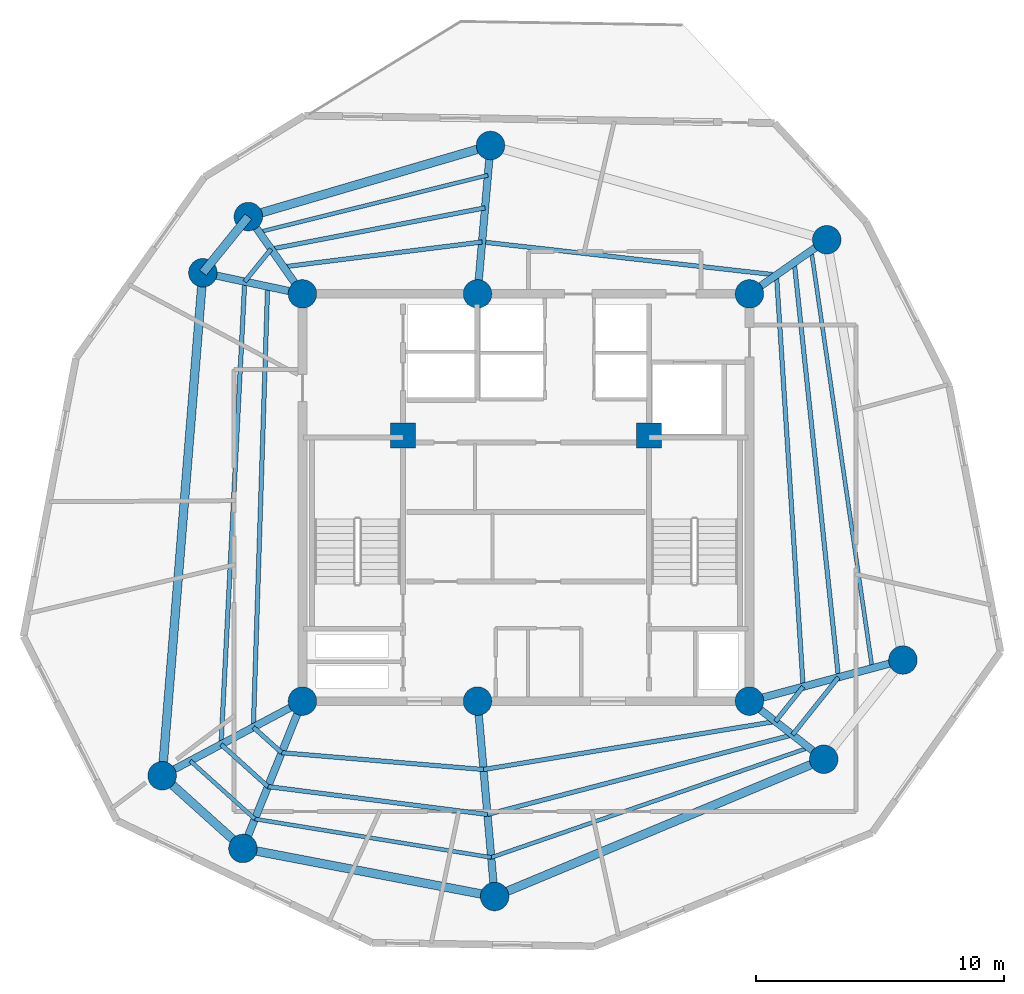
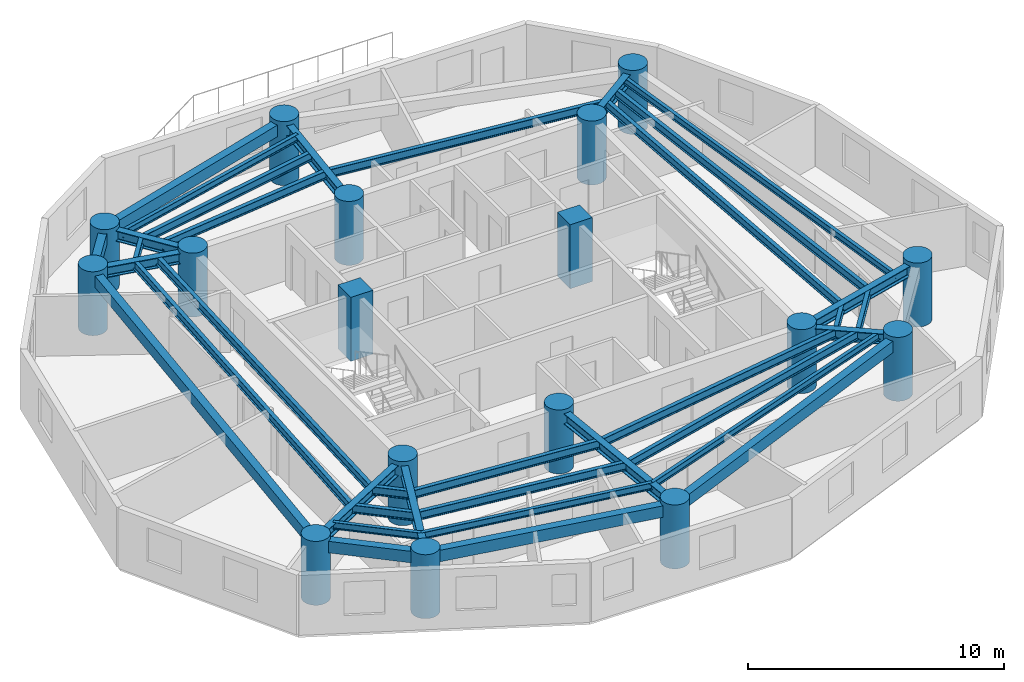
# One storey, part 1 of 7: 36 beams, 17 columns.
"""IFC4 building model written with IfcOpenShell, lengths in metres."""

from ifc_helpers import new_model, si_unit, direction, frame, origin, origin_with_axes, origin_2d, place, context, subcontext, project, spatial, rectangle, circle, i_section, extrude, source, transform, mapped, material, material_profile, profile_set, type_object, element, save


model = new_model("IFC4")

# Units and contexts
model_context = context("Model", 3, precision=1e-05, world=origin(), true_north=direction((0.0, 1.0)))
body_context = subcontext(model_context, "Body", "Model", "MODEL_VIEW")
ifc_project = project(units=[si_unit("LENGTHUNIT", "METRE"), si_unit("AREAUNIT", "SQUARE_METRE"), si_unit("VOLUMEUNIT", "CUBIC_METRE"), si_unit("PLANEANGLEUNIT", "RADIAN"), si_unit("MASSUNIT", "GRAM", prefix="KILO")], contexts=[model_context])

# Site, building, storey
site_placement = place(None, origin())
site = spatial("IfcSite", under=ifc_project, at=site_placement, CompositionType="ELEMENT")
building_placement = place(site_placement, origin())
building = spatial("IfcBuilding", under=site, at=building_placement, Name="Karkom Vertical University and Central Library", CompositionType="ELEMENT")
storey_placement = place(building_placement, frame((0.0, 0.0, 253.5)))
storey = spatial("IfcBuildingStorey", under=building, at=storey_placement, Name="L75", CompositionType="ELEMENT", Elevation=253.5)

# Columns
ifc_material_1 = material(Name="Concrete C50/60", Category="concrete")
ifc_material_profile_1 = material_profile(ifc_material_1, rectangle(XDim=1.0, YDim=1.0, at=origin_2d()), Name="RC-1000x1000")
ifc_profile_set_1 = profile_set([ifc_material_profile_1], Name="Concrete C50/60")
column_type_1 = type_object("IfcColumnType", Name="STR-COL-C-CC2", PredefinedType="COLUMN", material=ifc_profile_set_1)
shared_shape_1 = source(origin_with_axes(), body_context, "Body", "SweptSolid", [
    extrude(rectangle(XDim=1.0, YDim=1.0, at=origin_2d()), origin(), (0.0, 0.0, 1.0), 3.050048828125),
])
for number, where, z_axis, x_axis, name in (
    (1, (23.550048828125, 29.0, 0.0), (0.0, 0.0, 1.0), (1.0, 0.0, 0.0), "Level 75 Core Node Column CC-1"),
    (2, (33.449951171875, 29.0, 0.0), (0.0, 0.0, 1.0), (1.0, 0.0, 0.0), "Level 75 Core Node Column CC-2"),
):
    element("IfcColumn", number, at=place(storey_placement, frame(where, z_axis=z_axis, x_axis=x_axis)), inside=storey, type_object=column_type_1, Name=name, PredefinedType="COLUMN", context=body_context, shape_type="MappedRepresentation", body=[
        mapped(shared_shape_1, transform((0.0, 0.0, 0.0), scale=1.0)),
    ])
ifc_material_2 = material(Name="Concrete C45/55", Category="concrete")
ifc_material_profile_2 = material_profile(ifc_material_2, circle(Radius=0.574951171875, at=origin_2d()), Name="CFT-D1150")
ifc_profile_set_2 = profile_set([ifc_material_profile_2], Name="Concrete C45/55")
column_type_2 = type_object("IfcColumnType", Name="STR-COL-C-SC5", PredefinedType="COLUMN", material=ifc_profile_set_2)
shared_shape_2 = source(origin_with_axes(), body_context, "Body", "SweptSolid", [
    extrude(circle(Radius=0.574951171875, at=origin_2d()), origin(), (0.0, 0.0, 1.0), 3.050048828125),
])
for number, where, z_axis, x_axis, name in (
    (3, (19.5, 18.300048828125, 0.0), (0.0, 0.0, 1.0), (1.0, 0.0, 0.0), "Level 75 Spine Mega-Column SC-1"),
    (4, (26.550048828125, 18.300048828125, 0.0), (0.0, 0.0, 1.0), (1.0, 0.0, 0.0), "Level 75 Spine Mega-Column SC-2"),
    (5, (37.5, 18.300048828125, 0.0), (0.0, 0.0, 1.0), (1.0, 0.0, 0.0), "Level 75 Spine Mega-Column SC-3"),
    (6, (19.5, 34.699951171875, 0.0), (0.0, 0.0, 1.0), (1.0, 0.0, 0.0), "Level 75 Spine Mega-Column SC-4"),
    (7, (26.550048828125, 34.699951171875, 0.0), (0.0, 0.0, 1.0), (1.0, 0.0, 0.0), "Level 75 Spine Mega-Column SC-5"),
    (8, (37.5, 34.699951171875, 0.0), (0.0, 0.0, 1.0), (1.0, 0.0, 0.0), "Level 75 Spine Mega-Column SC-6"),
    (9, (43.681884765625, 19.9560546875, 0.0), (0.0, 0.0, 1.0), (1.0, 0.0, 0.0), "Level 75 Perimeter Mega-Column Z4-PC1"),
    (10, (40.613037109375, 36.8798828125, 0.0), (0.0, 0.0, 1.0), (1.0, 0.0, 0.0), "Level 75 Perimeter Mega-Column Z4-PC2"),
    (11, (27.072998046875, 40.677001953125, 0.0), (0.0, 0.0, 1.0), (1.0, 0.0, 0.0), "Level 75 Perimeter Mega-Column Z4-PC3"),
    (12, (17.320068359375, 37.81298828125, 0.0), (0.0, 0.0, 1.0), (1.0, 0.0, 0.0), "Level 75 Perimeter Mega-Column Z4-PC4"),
    (13, (15.489990234375, 35.552001953125, 0.0), (0.0, 0.0, 1.0), (1.0, 0.0, 0.0), "Level 75 Perimeter Mega-Column Z4-PC5"),
    (14, (13.84912109375, 15.294921875, 0.0), (0.0, 0.0, 1.0), (1.0, 0.0, 0.0), "Level 75 Perimeter Mega-Column Z4-PC6"),
    (15, (17.10302734375, 12.365966796875, 0.0), (0.0, 0.0, 1.0), (1.0, 0.0, 0.0), "Level 75 Perimeter Mega-Column Z4-PC7"),
    (16, (27.239013671875, 10.429931640625, 0.0), (0.0, 0.0, 1.0), (1.0, 0.0, 0.0), "Level 75 Perimeter Mega-Column Z4-PC8"),
    (17, (40.493896484375, 15.9599609375, 0.0), (0.0, 0.0, 1.0), (1.0, 0.0, 0.0), "Level 75 Perimeter Mega-Column Z4-PC9"),
):
    element("IfcColumn", number, at=place(storey_placement, frame(where, z_axis=z_axis, x_axis=x_axis)), inside=storey, type_object=column_type_2, Name=name, PredefinedType="COLUMN", context=body_context, shape_type="MappedRepresentation", body=[
        mapped(shared_shape_2, transform((0.0, 0.0, 0.0), scale=1.0)),
    ])

# Beams
ifc_material_3 = material(Name="Precast concrete C45/55", Category="concrete")
ifc_material_profile_3 = material_profile(ifc_material_3, rectangle(XDim=0.35009765625, YDim=0.550048828125, at=origin_2d()), Name="SPB-350x550")
ifc_profile_set_3 = profile_set([ifc_material_profile_3], Name="Precast concrete C45/55")
beam_type_1 = type_object("IfcBeamType", Name="STR-BM-SP-2", PredefinedType="SPANDREL", material=ifc_profile_set_3)
shared_shape_3 = source(origin_with_axes(), body_context, "Body", "SweptSolid", [
    extrude(rectangle(XDim=0.35009765625, YDim=0.550048828125, at=origin_2d()), origin(), (0.0, 0.0, 1.0), 10.164794921875),
])
beam_1_placement = place(storey_placement, frame((27.072998046875, 40.677001953125, 2.574951171875), z_axis=(-0.959485124536, -0.281759286971, 0.0), x_axis=(0.281759286971, -0.959485124536, 0.0)))
element("IfcBeam", 18, at=beam_1_placement, inside=storey, type_object=beam_type_1, Name="Level 75 Perimeter Spandrel Beam 03", PredefinedType="SPANDREL", context=body_context, shape_type="MappedRepresentation", body=[
    mapped(shared_shape_3, transform((0.0, 0.0, 0.0), scale=1.0)),
])
shared_shape_4 = source(origin_with_axes(), body_context, "Body", "SweptSolid", [
    extrude(rectangle(XDim=0.35009765625, YDim=0.550048828125, at=origin_2d()), origin(), (0.0, 0.0, 1.0), 2.908935546875),
])
beam_2_placement = place(storey_placement, frame((17.320068359375, 37.81298828125, 2.574951171875), z_axis=(-0.629147523747, -0.777285914811, 0.0), x_axis=(0.777285914811, -0.629147523747, 0.0)))
element("IfcBeam", 19, at=beam_2_placement, inside=storey, type_object=beam_type_1, Name="Level 75 Perimeter Spandrel Beam 04", PredefinedType="SPANDREL", context=body_context, shape_type="MappedRepresentation", body=[
    mapped(shared_shape_4, transform((0.0, 0.0, 0.0), scale=1.0)),
])
shared_shape_5 = source(origin_with_axes(), body_context, "Body", "SweptSolid", [
    extrude(rectangle(XDim=0.35009765625, YDim=0.550048828125, at=origin_2d()), origin(), (0.0, 0.0, 1.0), 20.323486328125),
])
beam_3_placement = place(storey_placement, frame((15.489990234375, 35.552001953125, 2.574951171875), z_axis=(-0.080737811681, -0.996735373991, 0.0), x_axis=(0.996735373991, -0.080737811681, 0.0)))
element("IfcBeam", 20, at=beam_3_placement, inside=storey, type_object=beam_type_1, Name="Level 75 Perimeter Spandrel Beam 05", PredefinedType="SPANDREL", context=body_context, shape_type="MappedRepresentation", body=[
    mapped(shared_shape_5, transform((0.0, 0.0, 0.0), scale=1.0)),
])
shared_shape_6 = source(origin_with_axes(), body_context, "Body", "SweptSolid", [
    extrude(rectangle(XDim=0.35009765625, YDim=0.550048828125, at=origin_2d()), origin(), (0.0, 0.0, 1.0), 4.3779296875),
])
beam_4_placement = place(storey_placement, frame((13.84912109375, 15.294921875, 2.574951171875), z_axis=(0.743244232405, -0.669020187287, 0.0), x_axis=(0.669020187287, 0.743244232405, 0.0)))
element("IfcBeam", 21, at=beam_4_placement, inside=storey, type_object=beam_type_1, Name="Level 75 Perimeter Spandrel Beam 06", PredefinedType="SPANDREL", context=body_context, shape_type="MappedRepresentation", body=[
    mapped(shared_shape_6, transform((0.0, 0.0, 0.0), scale=1.0)),
])
shared_shape_7 = source(origin_with_axes(), body_context, "Body", "SweptSolid", [
    extrude(rectangle(XDim=0.35009765625, YDim=0.550048828125, at=origin_2d()), origin(), (0.0, 0.0, 1.0), 10.3193359375),
])
beam_5_placement = place(storey_placement, frame((17.10302734375, 12.365966796875, 2.574951171875), z_axis=(0.982242767385, -0.187614354249, 0.0), x_axis=(0.187614354249, 0.982242767385, 0.0)))
element("IfcBeam", 22, at=beam_5_placement, inside=storey, type_object=beam_type_1, Name="Level 75 Perimeter Spandrel Beam 07", PredefinedType="SPANDREL", context=body_context, shape_type="MappedRepresentation", body=[
    mapped(shared_shape_7, transform((0.0, 0.0, 0.0), scale=1.0)),
])
shared_shape_8 = source(origin_with_axes(), body_context, "Body", "SweptSolid", [
    extrude(rectangle(XDim=0.35009765625, YDim=0.550048828125, at=origin_2d()), origin(), (0.0, 0.0, 1.0), 14.3623046875),
])
beam_6_placement = place(storey_placement, frame((27.239013671875, 10.429931640625, 2.574951171875), z_axis=(0.922899796194, 0.385040213725, 0.0), x_axis=(-0.385040213725, 0.922899796194, 0.0)))
element("IfcBeam", 23, at=beam_6_placement, inside=storey, type_object=beam_type_1, Name="Level 75 Perimeter Spandrel Beam 08", PredefinedType="SPANDREL", context=body_context, shape_type="MappedRepresentation", body=[
    mapped(shared_shape_8, transform((0.0, 0.0, 0.0), scale=1.0)),
])
ifc_material_4 = material(Name="Steel S355", Category="steel")
ifc_material_profile_4 = material_profile(ifc_material_4, i_section(OverallWidth=0.179931640625, OverallDepth=0.39990234375, WebThickness=0.008544921875, FlangeThickness=0.013427734375, FilletRadius=0.02099609375, at=origin_2d()), Name="IPE 400")
ifc_profile_set_4 = profile_set([ifc_material_profile_4], Name="Steel S355")
beam_type_2 = type_object("IfcBeamType", Name="STR-BM-SB-IPE400", PredefinedType="BEAM", material=ifc_profile_set_4)
shared_shape_9 = source(origin_with_axes(), body_context, "Body", "SweptSolid", [
    extrude(i_section(OverallWidth=0.179931640625, OverallDepth=0.39990234375, WebThickness=0.008544921875, FlangeThickness=0.013427734375, FilletRadius=0.02099609375, at=origin_2d()), origin(), (0.0, 0.0, 1.0), 16.617919921875),
])
beam_7_placement = place(storey_placement, frame((39.663818359375, 18.879638671875, 2.64990234375), z_axis=(-0.064641848008, 0.997908528617, 0.0), x_axis=(-0.997908528617, -0.064641848008, 0.0)))
element("IfcBeam", 24, at=beam_7_placement, inside=storey, type_object=beam_type_2, Name="Level 75 Secondary Composite Floor Beam 1.01", PredefinedType="BEAM", context=body_context, shape_type="MappedRepresentation", body=[
    mapped(shared_shape_9, transform((0.0, 0.0, 0.0), scale=1.0)),
])
shared_shape_10 = source(origin_with_axes(), body_context, "Body", "SweptSolid", [
    extrude(i_section(OverallWidth=0.179931640625, OverallDepth=0.39990234375, WebThickness=0.008544921875, FlangeThickness=0.013427734375, FilletRadius=0.02099609375, at=origin_2d()), origin(), (0.0, 0.0, 1.0), 11.9306640625),
])
beam_8_placement = place(storey_placement, frame((38.589599609375, 35.462890625, 2.64990234375), z_axis=(-0.993775454886, 0.11140172919, 0.0), x_axis=(-0.11140172919, -0.993775454886, 0.0)))
element("IfcBeam", 25, at=beam_8_placement, inside=storey, type_object=beam_type_2, Name="Level 75 Secondary Composite Floor Beam 1.02", PredefinedType="BEAM", context=body_context, shape_type="MappedRepresentation", body=[
    mapped(shared_shape_10, transform((0.0, 0.0, 0.0), scale=1.0)),
])
shared_shape_11 = source(origin_with_axes(), body_context, "Body", "SweptSolid", [
    extrude(i_section(OverallWidth=0.179931640625, OverallDepth=0.39990234375, WebThickness=0.008544921875, FlangeThickness=0.013427734375, FilletRadius=0.02099609375, at=origin_2d()), origin(), (0.0, 0.0, 1.0), 8.05859375),
])
beam_9_placement = place(storey_placement, frame((26.733154296875, 36.7919921875, 2.64990234375), z_axis=(-0.99223306826, -0.124392677646, 0.0), x_axis=(0.124392677646, -0.99223306826, 0.0)))
element("IfcBeam", 26, at=beam_9_placement, inside=storey, type_object=beam_type_2, Name="Level 75 Secondary Composite Floor Beam 1.03", PredefinedType="BEAM", context=body_context, shape_type="MappedRepresentation", body=[
    mapped(shared_shape_11, transform((0.0, 0.0, 0.0), scale=1.0)),
])
shared_shape_12 = source(origin_with_axes(), body_context, "Body", "SweptSolid", [
    extrude(i_section(OverallWidth=0.179931640625, OverallDepth=0.39990234375, WebThickness=0.008544921875, FlangeThickness=0.013427734375, FilletRadius=0.02099609375, at=origin_2d()), origin(), (0.0, 0.0, 1.0), 17.75927734375),
])
beam_10_placement = place(storey_placement, frame((18.096435546875, 34.998291015625, 2.64990234375), z_axis=(-0.032333437334, -0.999477137723, 0.0), x_axis=(0.999477137723, -0.032333437334, 0.0)))
element("IfcBeam", 27, at=beam_10_placement, inside=storey, type_object=beam_type_2, Name="Level 75 Secondary Composite Floor Beam 1.05", PredefinedType="BEAM", context=body_context, shape_type="MappedRepresentation", body=[
    mapped(shared_shape_12, transform((0.0, 0.0, 0.0), scale=1.0)),
])
shared_shape_13 = source(origin_with_axes(), body_context, "Body", "SweptSolid", [
    extrude(i_section(OverallWidth=0.179931640625, OverallDepth=0.39990234375, WebThickness=0.008544921875, FlangeThickness=0.013427734375, FilletRadius=0.02099609375, at=origin_2d()), origin(), (0.0, 0.0, 1.0), 1.5322265625),
])
beam_11_placement = place(storey_placement, frame((17.522216796875, 17.248291015625, 2.64990234375), z_axis=(0.743183211059, -0.669087972392, 0.0), x_axis=(0.669087972392, 0.743183211059, 0.0)))
element("IfcBeam", 28, at=beam_11_placement, inside=storey, type_object=beam_type_2, Name="Level 75 Secondary Composite Floor Beam 1.06", PredefinedType="BEAM", context=body_context, shape_type="MappedRepresentation", body=[
    mapped(shared_shape_13, transform((0.0, 0.0, 0.0), scale=1.0)),
])
shared_shape_14 = source(origin_with_axes(), body_context, "Body", "SweptSolid", [
    extrude(i_section(OverallWidth=0.179931640625, OverallDepth=0.39990234375, WebThickness=0.008544921875, FlangeThickness=0.013427734375, FilletRadius=0.02099609375, at=origin_2d()), origin(), (0.0, 0.0, 1.0), 8.15869140625),
])
beam_12_placement = place(storey_placement, frame((18.660888671875, 16.22314453125, 2.64990234375), z_axis=(0.996543694183, -0.083070244882, 0.0), x_axis=(0.083070244882, 0.996543694183, 0.0)))
element("IfcBeam", 29, at=beam_12_placement, inside=storey, type_object=beam_type_2, Name="Level 75 Secondary Composite Floor Beam 1.07", PredefinedType="BEAM", context=body_context, shape_type="MappedRepresentation", body=[
    mapped(shared_shape_14, transform((0.0, 0.0, 0.0), scale=1.0)),
])
shared_shape_15 = source(origin_with_axes(), body_context, "Body", "SweptSolid", [
    extrude(i_section(OverallWidth=0.179931640625, OverallDepth=0.39990234375, WebThickness=0.008544921875, FlangeThickness=0.013427734375, FilletRadius=0.02099609375, at=origin_2d()), origin(), (0.0, 0.0, 1.0), 11.914794921875),
])
beam_13_placement = place(storey_placement, frame((26.791259765625, 15.54541015625, 2.64990234375), z_axis=(0.986717073469, 0.162448197663, 0.0), x_axis=(-0.162448197663, 0.986717073469, 0.0)))
element("IfcBeam", 30, at=beam_13_placement, inside=storey, type_object=beam_type_2, Name="Level 75 Secondary Composite Floor Beam 1.08", PredefinedType="BEAM", context=body_context, shape_type="MappedRepresentation", body=[
    mapped(shared_shape_15, transform((0.0, 0.0, 0.0), scale=1.0)),
])
shared_shape_16 = source(origin_with_axes(), body_context, "Body", "SweptSolid", [
    extrude(i_section(OverallWidth=0.179931640625, OverallDepth=0.39990234375, WebThickness=0.008544921875, FlangeThickness=0.013427734375, FilletRadius=0.02099609375, at=origin_2d()), origin(), (0.0, 0.0, 1.0), 1.789306640625),
])
beam_14_placement = place(storey_placement, frame((38.5478515625, 17.48095703125, 2.64990234375), z_axis=(0.623679519349, 0.781680150154, 0.0), x_axis=(-0.781680150154, 0.623679519349, 0.0)))
element("IfcBeam", 31, at=beam_14_placement, inside=storey, type_object=beam_type_2, Name="Level 75 Secondary Composite Floor Beam 1.09", PredefinedType="BEAM", context=body_context, shape_type="MappedRepresentation", body=[
    mapped(shared_shape_16, transform((0.0, 0.0, 0.0), scale=1.0)),
])
shared_shape_17 = source(origin_with_axes(), body_context, "Body", "SweptSolid", [
    extrude(i_section(OverallWidth=0.179931640625, OverallDepth=0.39990234375, WebThickness=0.008544921875, FlangeThickness=0.013427734375, FilletRadius=0.02099609375, at=origin_2d()), origin(), (0.0, 0.0, 1.0), 16.79833984375),
])
beam_15_placement = place(storey_placement, frame((41.085693359375, 19.260498046875, 2.64990234375), z_axis=(-0.105978377704, 0.994368434464, 0.0), x_axis=(-0.994368434464, -0.105978377704, 0.0)))
element("IfcBeam", 32, at=beam_15_placement, inside=storey, type_object=beam_type_2, Name="Level 75 Secondary Composite Floor Beam 2.01", PredefinedType="BEAM", context=body_context, shape_type="MappedRepresentation", body=[
    mapped(shared_shape_17, transform((0.0, 0.0, 0.0), scale=1.0)),
])
shared_shape_18 = source(origin_with_axes(), body_context, "Body", "SweptSolid", [
    extrude(i_section(OverallWidth=0.179931640625, OverallDepth=0.39990234375, WebThickness=0.008544921875, FlangeThickness=0.013427734375, FilletRadius=0.02099609375, at=origin_2d()), origin(), (0.0, 0.0, 1.0), 8.7763671875),
])
beam_16_placement = place(storey_placement, frame((26.853271484375, 38.166748046875, 2.64990234375), z_axis=(-0.981924209256, -0.189274528862, 0.0), x_axis=(0.189274528862, -0.981924209256, 0.0)))
element("IfcBeam", 33, at=beam_16_placement, inside=storey, type_object=beam_type_2, Name="Level 75 Secondary Composite Floor Beam 2.03", PredefinedType="BEAM", context=body_context, shape_type="MappedRepresentation", body=[
    mapped(shared_shape_18, transform((0.0, 0.0, 0.0), scale=1.0)),
])
shared_shape_19 = source(origin_with_axes(), body_context, "Body", "SweptSolid", [
    extrude(i_section(OverallWidth=0.179931640625, OverallDepth=0.39990234375, WebThickness=0.008544921875, FlangeThickness=0.013427734375, FilletRadius=0.02099609375, at=origin_2d()), origin(), (0.0, 0.0, 1.0), 1.68701171875),
])
beam_17_placement = place(storey_placement, frame((18.235595703125, 36.505615234375, 2.64990234375), z_axis=(-0.629044191861, -0.777369541908, 0.0), x_axis=(0.777369541908, -0.629044191861, 0.0)))
element("IfcBeam", 34, at=beam_17_placement, inside=storey, type_object=beam_type_2, Name="Level 75 Secondary Composite Floor Beam 2.04", PredefinedType="BEAM", context=body_context, shape_type="MappedRepresentation", body=[
    mapped(shared_shape_19, transform((0.0, 0.0, 0.0), scale=1.0)),
])
shared_shape_20 = source(origin_with_axes(), body_context, "Body", "SweptSolid", [
    extrude(i_section(OverallWidth=0.179931640625, OverallDepth=0.39990234375, WebThickness=0.008544921875, FlangeThickness=0.013427734375, FilletRadius=0.02099609375, at=origin_2d()), origin(), (0.0, 0.0, 1.0), 18.661376953125),
])
beam_18_placement = place(storey_placement, frame((17.17431640625, 35.194091796875, 2.64990234375), z_axis=(-0.051009656211, -0.998698160093, 0.0), x_axis=(0.998698160093, -0.051009656211, 0.0)))
element("IfcBeam", 35, at=beam_18_placement, inside=storey, type_object=beam_type_2, Name="Level 75 Secondary Composite Floor Beam 2.05", PredefinedType="BEAM", context=body_context, shape_type="MappedRepresentation", body=[
    mapped(shared_shape_20, transform((0.0, 0.0, 0.0), scale=1.0)),
])
shared_shape_21 = source(origin_with_axes(), body_context, "Body", "SweptSolid", [
    extrude(i_section(OverallWidth=0.179931640625, OverallDepth=0.39990234375, WebThickness=0.008544921875, FlangeThickness=0.013427734375, FilletRadius=0.02099609375, at=origin_2d()), origin(), (0.0, 0.0, 1.0), 2.5390625),
])
beam_19_placement = place(storey_placement, frame((16.222412109375, 16.55712890625, 2.64990234375), z_axis=(0.743246334517, -0.669017851949, 0.0), x_axis=(0.669017851949, 0.743246334517, 0.0)))
element("IfcBeam", 36, at=beam_19_placement, inside=storey, type_object=beam_type_2, Name="Level 75 Secondary Composite Floor Beam 2.06", PredefinedType="BEAM", context=body_context, shape_type="MappedRepresentation", body=[
    mapped(shared_shape_21, transform((0.0, 0.0, 0.0), scale=1.0)),
])
shared_shape_22 = source(origin_with_axes(), body_context, "Body", "SweptSolid", [
    extrude(i_section(OverallWidth=0.179931640625, OverallDepth=0.39990234375, WebThickness=0.008544921875, FlangeThickness=0.013427734375, FilletRadius=0.02099609375, at=origin_2d()), origin(), (0.0, 0.0, 1.0), 8.9111328125),
])
beam_20_placement = place(storey_placement, frame((18.109619140625, 14.8583984375, 2.64990234375), z_axis=(0.992026771403, -0.126027317751, 0.0), x_axis=(0.126027317751, 0.992026771403, 0.0)))
element("IfcBeam", 37, at=beam_20_placement, inside=storey, type_object=beam_type_2, Name="Level 75 Secondary Composite Floor Beam 2.07", PredefinedType="BEAM", context=body_context, shape_type="MappedRepresentation", body=[
    mapped(shared_shape_22, transform((0.0, 0.0, 0.0), scale=1.0)),
])
shared_shape_23 = source(origin_with_axes(), body_context, "Body", "SweptSolid", [
    extrude(i_section(OverallWidth=0.179931640625, OverallDepth=0.39990234375, WebThickness=0.008544921875, FlangeThickness=0.013427734375, FilletRadius=0.02099609375, at=origin_2d()), origin(), (0.0, 0.0, 1.0), 12.69873046875),
])
beam_21_placement = place(storey_placement, frame((26.94970703125, 13.7353515625, 2.64990234375), z_axis=(0.967573974729, 0.252587813301, 0.0), x_axis=(-0.252587813301, 0.967573974729, 0.0)))
element("IfcBeam", 38, at=beam_21_placement, inside=storey, type_object=beam_type_2, Name="Level 75 Secondary Composite Floor Beam 2.08", PredefinedType="BEAM", context=body_context, shape_type="MappedRepresentation", body=[
    mapped(shared_shape_23, transform((0.0, 0.0, 0.0), scale=1.0)),
])
shared_shape_24 = source(origin_with_axes(), body_context, "Body", "SweptSolid", [
    extrude(i_section(OverallWidth=0.179931640625, OverallDepth=0.39990234375, WebThickness=0.008544921875, FlangeThickness=0.013427734375, FilletRadius=0.02099609375, at=origin_2d()), origin(), (0.0, 0.0, 1.0), 2.96484375),
])
beam_22_placement = place(storey_placement, frame((39.236572265625, 16.94287109375, 2.64990234375), z_axis=(0.623670236397, 0.781687556657, 0.0), x_axis=(-0.781687556657, 0.623670236397, 0.0)))
element("IfcBeam", 39, at=beam_22_placement, inside=storey, type_object=beam_type_2, Name="Level 75 Secondary Composite Floor Beam 2.09", PredefinedType="BEAM", context=body_context, shape_type="MappedRepresentation", body=[
    mapped(shared_shape_24, transform((0.0, 0.0, 0.0), scale=1.0)),
])
ifc_material_profile_5 = material_profile(ifc_material_4, i_section(OverallWidth=0.159912109375, OverallDepth=0.330078125, WebThickness=0.007568359375, FlangeThickness=0.011474609375, FilletRadius=0.01806640625, at=origin_2d()), Name="IPE 330")
ifc_profile_set_5 = profile_set([ifc_material_profile_5], Name="Steel S355")
beam_type_3 = type_object("IfcBeamType", Name="STR-BM-SB-IPE330", PredefinedType="BEAM", material=ifc_profile_set_5)
shared_shape_25 = source(origin_with_axes(), body_context, "Body", "SweptSolid", [
    extrude(i_section(OverallWidth=0.159912109375, OverallDepth=0.330078125, WebThickness=0.007568359375, FlangeThickness=0.011474609375, FilletRadius=0.01806640625, at=origin_2d()), origin(), (0.0, 0.0, 1.0), 16.99755859375),
])
beam_23_placement = place(storey_placement, frame((42.445556640625, 19.624755859375, 2.68505859375), z_axis=(-0.144436985275, 0.98951400055, 0.0), x_axis=(-0.98951400055, -0.144436985275, 0.0)))
element("IfcBeam", 40, at=beam_23_placement, inside=storey, type_object=beam_type_3, Name="Level 75 Secondary Composite Floor Beam 3.01", PredefinedType="BEAM", context=body_context, shape_type="MappedRepresentation", body=[
    mapped(shared_shape_25, transform((0.0, 0.0, 0.0), scale=1.0)),
])
shared_shape_26 = source(origin_with_axes(), body_context, "Body", "SweptSolid", [
    extrude(i_section(OverallWidth=0.159912109375, OverallDepth=0.330078125, WebThickness=0.007568359375, FlangeThickness=0.011474609375, FilletRadius=0.01806640625, at=origin_2d()), origin(), (0.0, 0.0, 1.0), 9.4931640625),
])
beam_24_placement = place(storey_placement, frame((26.968505859375, 39.481689453125, 2.68505859375), z_axis=(-0.970435275293, -0.241361505767, 0.0), x_axis=(0.241361505767, -0.970435275293, 0.0)))
element("IfcBeam", 41, at=beam_24_placement, inside=storey, type_object=beam_type_3, Name="Level 75 Secondary Composite Floor Beam 3.03", PredefinedType="BEAM", context=body_context, shape_type="MappedRepresentation", body=[
    mapped(shared_shape_26, transform((0.0, 0.0, 0.0), scale=1.0)),
])
shared_shape_27 = source(origin_with_axes(), body_context, "Body", "SweptSolid", [
    extrude(i_section(OverallWidth=0.159912109375, OverallDepth=0.330078125, WebThickness=0.007568359375, FlangeThickness=0.011474609375, FilletRadius=0.01806640625, at=origin_2d()), origin(), (0.0, 0.0, 1.0), 3.50244140625),
])
beam_25_placement = place(storey_placement, frame((14.979248046875, 15.89599609375, 2.68505859375), z_axis=(0.743249087562, -0.669014793437, 0.0), x_axis=(0.669014793437, 0.743249087562, 0.0)))
element("IfcBeam", 42, at=beam_25_placement, inside=storey, type_object=beam_type_3, Name="Level 75 Secondary Composite Floor Beam 3.06", PredefinedType="BEAM", context=body_context, shape_type="MappedRepresentation", body=[
    mapped(shared_shape_27, transform((0.0, 0.0, 0.0), scale=1.0)),
])
shared_shape_28 = source(origin_with_axes(), body_context, "Body", "SweptSolid", [
    extrude(i_section(OverallWidth=0.159912109375, OverallDepth=0.330078125, WebThickness=0.007568359375, FlangeThickness=0.011474609375, FilletRadius=0.01806640625, at=origin_2d()), origin(), (0.0, 0.0, 1.0), 9.64404296875),
])
beam_26_placement = place(storey_placement, frame((17.58251953125, 13.552734375, 2.68505859375), z_axis=(0.987019497924, -0.160600469231, 0.0), x_axis=(0.160600469231, 0.987019497924, 0.0)))
element("IfcBeam", 43, at=beam_26_placement, inside=storey, type_object=beam_type_3, Name="Level 75 Secondary Composite Floor Beam 3.07", PredefinedType="BEAM", context=body_context, shape_type="MappedRepresentation", body=[
    mapped(shared_shape_28, transform((0.0, 0.0, 0.0), scale=1.0)),
])
shared_shape_29 = source(origin_with_axes(), body_context, "Body", "SweptSolid", [
    extrude(i_section(OverallWidth=0.159912109375, OverallDepth=0.330078125, WebThickness=0.007568359375, FlangeThickness=0.011474609375, FilletRadius=0.01806640625, at=origin_2d()), origin(), (0.0, 0.0, 1.0), 13.537353515625),
])
beam_27_placement = place(storey_placement, frame((27.101318359375, 12.00390625, 2.68505859375), z_axis=(0.945091088216, 0.32680703018, 0.0), x_axis=(-0.32680703018, 0.945091088216, 0.0)))
element("IfcBeam", 44, at=beam_27_placement, inside=storey, type_object=beam_type_3, Name="Level 75 Secondary Composite Floor Beam 3.08", PredefinedType="BEAM", context=body_context, shape_type="MappedRepresentation", body=[
    mapped(shared_shape_29, transform((0.0, 0.0, 0.0), scale=1.0)),
])
ifc_material_profile_6 = material_profile(ifc_material_4, i_section(OverallWidth=0.300048828125, OverallDepth=0.5, WebThickness=0.014404296875, FlangeThickness=0.028076171875, FilletRadius=0.027099609375, at=origin_2d()), Name="HE 500 B")
ifc_profile_set_6 = profile_set([ifc_material_profile_6], Name="Steel S355")
beam_type_4 = type_object("IfcBeamType", Name="STR-BM-SB-HE500", PredefinedType="USERDEFINED", material=ifc_profile_set_6)
shared_shape_30 = source(origin_with_axes(), body_context, "Body", "SweptSolid", [
    extrude(i_section(OverallWidth=0.300048828125, OverallDepth=0.5, WebThickness=0.014404296875, FlangeThickness=0.028076171875, FilletRadius=0.027099609375, at=origin_2d()), origin(), (0.0, 0.0, 1.0), 6.39990234375),
])
for number, where, z_axis, x_axis, name in (
    (45, (37.5, 18.300048828125, 2.60009765625), (0.965942432948, 0.258757060254, 0.0), (-0.258757060254, 0.965942432948, 0.0), "Level 75 Radial Frame Girder 01"),
    (46, (19.5, 18.300048828125, 2.60009765625), (-0.374532429749, -0.927213815183, 0.0), (0.927213815183, -0.374532429749, 0.0), "Level 75 Radial Frame Girder 07"),
):
    element("IfcBeam", number, at=place(storey_placement, frame(where, z_axis=z_axis, x_axis=x_axis)), inside=storey, type_object=beam_type_4, Name=name, ObjectType="GIRDER", PredefinedType="USERDEFINED", context=body_context, shape_type="MappedRepresentation", body=[
        mapped(shared_shape_30, transform((0.0, 0.0, 0.0), scale=1.0)),
    ])
shared_shape_31 = source(origin_with_axes(), body_context, "Body", "SweptSolid", [
    extrude(i_section(OverallWidth=0.300048828125, OverallDepth=0.5, WebThickness=0.014404296875, FlangeThickness=0.028076171875, FilletRadius=0.027099609375, at=origin_2d()), origin(), (0.0, 0.0, 1.0), 3.80029296875),
])
for number, where, z_axis, x_axis, name in (
    (47, (37.5, 34.699951171875, 2.60009765625), (0.819132313625, 0.573604613627, 0.0), (-0.573604613627, 0.819132313625, 0.0), "Level 75 Radial Frame Girder 02"),
    (48, (19.5, 34.699951171875, 2.60009765625), (-0.573604613627, 0.819132313625, 0.0), (-0.819132313625, -0.573604613627, 0.0), "Level 75 Radial Frame Girder 04"),
):
    element("IfcBeam", number, at=place(storey_placement, frame(where, z_axis=z_axis, x_axis=x_axis)), inside=storey, type_object=beam_type_4, Name=name, ObjectType="GIRDER", PredefinedType="USERDEFINED", context=body_context, shape_type="MappedRepresentation", body=[
        mapped(shared_shape_31, transform((0.0, 0.0, 0.0), scale=1.0)),
    ])
shared_shape_32 = source(origin_with_axes(), body_context, "Body", "SweptSolid", [
    extrude(i_section(OverallWidth=0.300048828125, OverallDepth=0.5, WebThickness=0.014404296875, FlangeThickness=0.028076171875, FilletRadius=0.027099609375, at=origin_2d()), origin(), (0.0, 0.0, 1.0), 6.0),
])
beam_28_placement = place(storey_placement, frame((26.550048828125, 34.699951171875, 2.60009765625), z_axis=(0.087159883478, 0.996194335816, 0.0), x_axis=(-0.996194335816, 0.087159883478, 0.0)))
element("IfcBeam", 49, at=beam_28_placement, inside=storey, type_object=beam_type_4, Name="Level 75 Radial Frame Girder 03", ObjectType="GIRDER", PredefinedType="USERDEFINED", context=body_context, shape_type="MappedRepresentation", body=[
    mapped(shared_shape_32, transform((0.0, 0.0, 0.0), scale=1.0)),
])
shared_shape_33 = source(origin_with_axes(), body_context, "Body", "SweptSolid", [
    extrude(i_section(OverallWidth=0.300048828125, OverallDepth=0.5, WebThickness=0.014404296875, FlangeThickness=0.028076171875, FilletRadius=0.027099609375, at=origin_2d()), origin(), (0.0, 0.0, 1.0), 4.099609375),
])
beam_29_placement = place(storey_placement, frame((19.5, 34.699951171875, 2.60009765625), z_axis=(-0.978162634602, 0.207840949453, 0.0), x_axis=(-0.207840949453, -0.978162634602, 0.0)))
element("IfcBeam", 50, at=beam_29_placement, inside=storey, type_object=beam_type_4, Name="Level 75 Radial Frame Girder 05", ObjectType="GIRDER", PredefinedType="USERDEFINED", context=body_context, shape_type="MappedRepresentation", body=[
    mapped(shared_shape_33, transform((0.0, 0.0, 0.0), scale=1.0)),
])
shared_shape_34 = source(origin_with_axes(), body_context, "Body", "SweptSolid", [
    extrude(i_section(OverallWidth=0.300048828125, OverallDepth=0.5, WebThickness=0.014404296875, FlangeThickness=0.028076171875, FilletRadius=0.027099609375, at=origin_2d()), origin(), (0.0, 0.0, 1.0), 6.400146484375),
])
beam_30_placement = place(storey_placement, frame((19.5, 18.300048828125, 2.60009765625), z_axis=(-0.882915120857, -0.469532628645, 0.0), x_axis=(0.469532628645, -0.882915120857, 0.0)))
element("IfcBeam", 51, at=beam_30_placement, inside=storey, type_object=beam_type_4, Name="Level 75 Radial Frame Girder 06", ObjectType="GIRDER", PredefinedType="USERDEFINED", context=body_context, shape_type="MappedRepresentation", body=[
    mapped(shared_shape_34, transform((0.0, 0.0, 0.0), scale=1.0)),
])
shared_shape_35 = source(origin_with_axes(), body_context, "Body", "SweptSolid", [
    extrude(i_section(OverallWidth=0.300048828125, OverallDepth=0.5, WebThickness=0.014404296875, FlangeThickness=0.028076171875, FilletRadius=0.027099609375, at=origin_2d()), origin(), (0.0, 0.0, 1.0), 7.900146484375),
])
beam_31_placement = place(storey_placement, frame((26.550048828125, 18.300048828125, 2.60009765625), z_axis=(0.087208352312, -0.996190093951, 0.0), x_axis=(0.996190093951, 0.087208352312, 0.0)))
element("IfcBeam", 52, at=beam_31_placement, inside=storey, type_object=beam_type_4, Name="Level 75 Radial Frame Girder 08", ObjectType="GIRDER", PredefinedType="USERDEFINED", context=body_context, shape_type="MappedRepresentation", body=[
    mapped(shared_shape_35, transform((0.0, 0.0, 0.0), scale=1.0)),
])
shared_shape_36 = source(origin_with_axes(), body_context, "Body", "SweptSolid", [
    extrude(i_section(OverallWidth=0.300048828125, OverallDepth=0.5, WebThickness=0.014404296875, FlangeThickness=0.028076171875, FilletRadius=0.027099609375, at=origin_2d()), origin(), (0.0, 0.0, 1.0), 3.7998046875),
])
beam_32_placement = place(storey_placement, frame((37.5, 18.300048828125, 2.60009765625), z_axis=(0.787883114707, -0.61582481077, 0.0), x_axis=(0.61582481077, 0.787883114707, 0.0)))
element("IfcBeam", 53, at=beam_32_placement, inside=storey, type_object=beam_type_4, Name="Level 75 Radial Frame Girder 09", ObjectType="GIRDER", PredefinedType="USERDEFINED", context=body_context, shape_type="MappedRepresentation", body=[
    mapped(shared_shape_36, transform((0.0, 0.0, 0.0), scale=1.0)),
])

save(model, "model.ifc")
